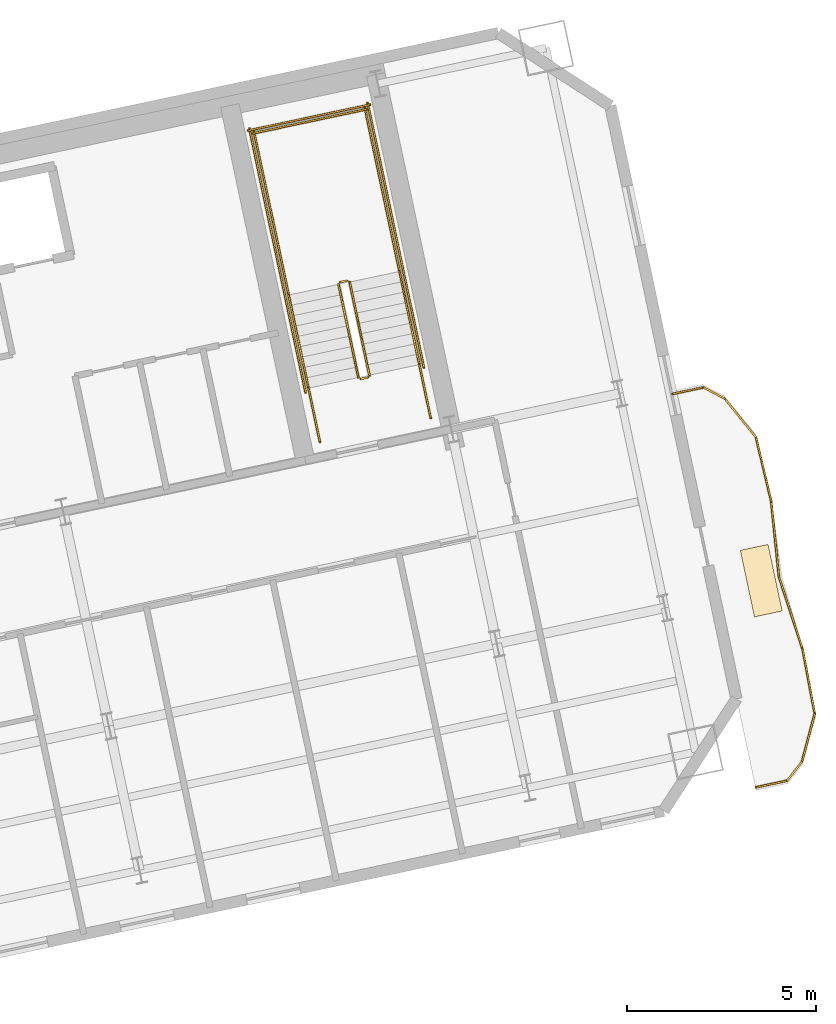
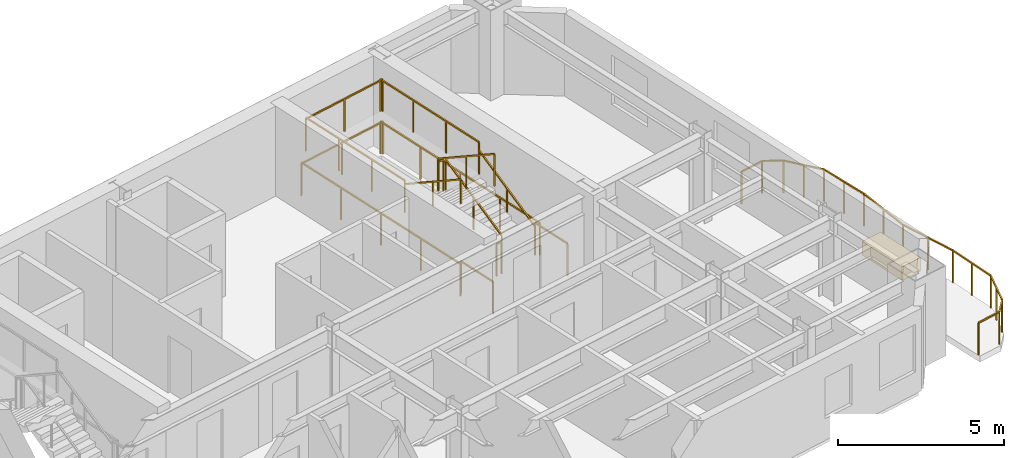
# One storey, part 13 of 13: 24 railings, 1 covering.
"""IFC4 building model written with IfcOpenShell, lengths in metres."""

from ifc_helpers import new_model, si_unit, direction, frame, origin, origin_2d, place, context, subcontext, project, spatial, rectangle, extrude, material, layer, layer_set, type_object, element, save


model = new_model("IFC4")

# Units and contexts
model_context = context("Model", 3, precision=1e-05, world=origin(), true_north=direction((0.0, 1.0)))
body_context = subcontext(model_context, "Body", "Model", "MODEL_VIEW")
ifc_project = project(units=[si_unit("LENGTHUNIT", "METRE"), si_unit("AREAUNIT", "SQUARE_METRE"), si_unit("VOLUMEUNIT", "CUBIC_METRE"), si_unit("PLANEANGLEUNIT", "RADIAN"), si_unit("MASSUNIT", "GRAM", prefix="KILO")], contexts=[model_context])

# Site, building, storey
site_placement = place(None, origin())
site = spatial("IfcSite", under=ifc_project, at=site_placement, CompositionType="ELEMENT")
building_placement = place(site_placement, origin())
building = spatial("IfcBuilding", under=site, at=building_placement, Name="Haevon Station Towers", CompositionType="ELEMENT")
storey_placement = place(building_placement, frame((0.0, 0.0, 149.39990234375)))
storey = spatial("IfcBuildingStorey", under=building, at=storey_placement, Name="L40", CompositionType="ELEMENT", Elevation=149.39990234375)

# Railings
ifc_material_1 = material(Name="Steel S355", Category="steel")
railing_type_1 = type_object("IfcRailingType", Name="GRD-EXT1200", PredefinedType="GUARDRAIL", material=ifc_material_1)
railing_1_placement = place(storey_placement, frame((127.363525390625, 32.332275390625, 0.0)))
element("IfcRailing", 1, at=railing_1_placement, inside=storey, type_object=railing_type_1, Name="L40 Perimeter Guardrail 1", PredefinedType="GUARDRAIL", context=body_context, shape_type="SweptSolid", body=[
    extrude(rectangle(XDim=0.048095703125, YDim=0.048095703125, at=origin_2d()), frame((0.0, 0.0, 1.17578125), z_axis=(0.977691431104, 0.210046341426, 0.0), x_axis=(-0.210046341426, 0.977691431104, 0.0)), (0.0, 0.0, 1.0), 0.838134765625),
    extrude(rectangle(XDim=0.0419921875, YDim=0.0419921875, at=origin_2d()), origin(), (0.0, 0.0, 1.0), 1.15185546875),
    extrude(rectangle(XDim=0.0419921875, YDim=0.0419921875, at=origin_2d()), frame((0.8193359375, 0.176025390625, 0.0)), (0.0, 0.0, 1.0), 1.15185546875),
])
railing_2_placement = place(storey_placement, frame((128.182861328125, 32.50830078125, 0.0)))
element("IfcRailing", 2, at=railing_2_placement, inside=storey, type_object=railing_type_1, Name="L40 Perimeter Guardrail 2", PredefinedType="GUARDRAIL", context=body_context, shape_type="SweptSolid", body=[
    extrude(rectangle(XDim=0.048095703125, YDim=0.048095703125, at=origin_2d()), frame((0.0, 0.0, 1.17578125), z_axis=(0.615866023328, 0.787850900431, 0.0), x_axis=(-0.787850900431, 0.615866023328, 0.0)), (0.0, 0.0, 1.0), 0.64013671875),
    extrude(rectangle(XDim=0.0419921875, YDim=0.0419921875, at=origin_2d()), origin(), (0.0, 0.0, 1.0), 1.15185546875),
    extrude(rectangle(XDim=0.0419921875, YDim=0.0419921875, at=origin_2d()), frame((0.394287109375, 0.50439453125, 0.0)), (0.0, 0.0, 1.0), 1.15185546875),
])
railing_3_placement = place(storey_placement, frame((128.5771484375, 33.0126953125, 0.0)))
element("IfcRailing", 3, at=railing_3_placement, inside=storey, type_object=railing_type_1, Name="L40 Perimeter Guardrail 3", PredefinedType="GUARDRAIL", context=body_context, shape_type="SweptSolid", body=[
    extrude(rectangle(XDim=0.048095703125, YDim=0.048095703125, at=origin_2d()), frame((0.0, 0.0, 1.17578125), z_axis=(0.256967200825, 0.966420124842, 0.0), x_axis=(-0.966420124842, 0.256967200825, 0.0)), (0.0, 0.0, 1.0), 1.31103515625),
    extrude(rectangle(XDim=0.0419921875, YDim=0.0419921875, at=origin_2d()), origin(), (0.0, 0.0, 1.0), 1.15185546875),
    extrude(rectangle(XDim=0.0419921875, YDim=0.0419921875, at=origin_2d()), frame((0.16845703125, 0.633544921875, 0.0)), (0.0, 0.0, 1.0), 1.15185546875),
    extrude(rectangle(XDim=0.0419921875, YDim=0.0419921875, at=origin_2d()), frame((0.3369140625, 1.26708984375, 0.0)), (0.0, 0.0, 1.0), 1.15185546875),
])
railing_4_placement = place(storey_placement, frame((128.9140625, 34.27978515625, 0.0)))
element("IfcRailing", 4, at=railing_4_placement, inside=storey, type_object=railing_type_1, Name="L40 Perimeter Guardrail 4", PredefinedType="GUARDRAIL", context=body_context, shape_type="SweptSolid", body=[
    extrude(rectangle(XDim=0.048095703125, YDim=0.048095703125, at=origin_2d()), frame((0.0, 0.0, 1.17578125), z_axis=(-0.184962759631, 0.982745530415, 0.0), x_axis=(-0.982745530415, -0.184962759631, 0.0)), (0.0, 0.0, 1.0), 1.7490234375),
    extrude(rectangle(XDim=0.0419921875, YDim=0.0419921875, at=origin_2d()), origin(), (0.0, 0.0, 1.0), 1.15185546875),
    extrude(rectangle(XDim=0.0419921875, YDim=0.0419921875, at=origin_2d()), frame((-0.16162109375, 0.859375, 0.0)), (0.0, 0.0, 1.0), 1.15185546875),
    extrude(rectangle(XDim=0.0419921875, YDim=0.0419921875, at=origin_2d()), frame((-0.323486328125, 1.71875, 0.0)), (0.0, 0.0, 1.0), 1.15185546875),
])
railing_5_placement = place(storey_placement, frame((128.590576171875, 35.99853515625, 0.0)))
element("IfcRailing", 5, at=railing_5_placement, inside=storey, type_object=railing_type_1, Name="L40 Perimeter Guardrail 5", PredefinedType="GUARDRAIL", context=body_context, shape_type="SweptSolid", body=[
    extrude(rectangle(XDim=0.048095703125, YDim=0.048095703125, at=origin_2d()), frame((0.0, 0.0, 1.17578125), z_axis=(-0.31161563474, 0.950208238328, 0.0), x_axis=(-0.950208238328, -0.31161563474, 0.0)), (0.0, 0.0, 1.0), 2.00244140625),
    extrude(rectangle(XDim=0.0419921875, YDim=0.0419921875, at=origin_2d()), origin(), (0.0, 0.0, 1.0), 1.15185546875),
    extrude(rectangle(XDim=0.0419921875, YDim=0.0419921875, at=origin_2d()), frame((-0.31201171875, 0.951416015625, 0.0)), (0.0, 0.0, 1.0), 1.15185546875),
    extrude(rectangle(XDim=0.0419921875, YDim=0.0419921875, at=origin_2d()), frame((-0.6240234375, 1.90283203125, 0.0)), (0.0, 0.0, 1.0), 1.15185546875),
])
railing_6_placement = place(storey_placement, frame((127.966552734375, 37.9013671875, 0.0)))
element("IfcRailing", 6, at=railing_6_placement, inside=storey, type_object=railing_type_1, Name="L40 Perimeter Guardrail 6", PredefinedType="GUARDRAIL", context=body_context, shape_type="SweptSolid", body=[
    extrude(rectangle(XDim=0.048095703125, YDim=0.048095703125, at=origin_2d()), frame((0.0, 0.0, 1.17578125), z_axis=(-0.101796856362, 0.994805207081, 0.0), x_axis=(-0.994805207081, -0.101796856362, 0.0)), (0.0, 0.0, 1.0), 2.002685546875),
    extrude(rectangle(XDim=0.0419921875, YDim=0.0419921875, at=origin_2d()), origin(), (0.0, 0.0, 1.0), 1.15185546875),
    extrude(rectangle(XDim=0.0419921875, YDim=0.0419921875, at=origin_2d()), frame((-0.10205078125, 0.99609375, 0.0)), (0.0, 0.0, 1.0), 1.15185546875),
    extrude(rectangle(XDim=0.0419921875, YDim=0.0419921875, at=origin_2d()), frame((-0.203857421875, 1.9921875, 0.0)), (0.0, 0.0, 1.0), 1.15185546875),
])
railing_7_placement = place(storey_placement, frame((127.7626953125, 39.8935546875, 0.0)))
element("IfcRailing", 7, at=railing_7_placement, inside=storey, type_object=railing_type_1, Name="L40 Perimeter Guardrail 7", PredefinedType="GUARDRAIL", context=body_context, shape_type="SweptSolid", body=[
    extrude(rectangle(XDim=0.048095703125, YDim=0.048095703125, at=origin_2d()), frame((0.0, 0.0, 1.17578125), z_axis=(-0.230727231711, 0.973018470815, 0.0), x_axis=(-0.973018470815, -0.230727231711, 0.0)), (0.0, 0.0, 1.0), 1.7490234375),
    extrude(rectangle(XDim=0.0419921875, YDim=0.0419921875, at=origin_2d()), origin(), (0.0, 0.0, 1.0), 1.15185546875),
    extrude(rectangle(XDim=0.0419921875, YDim=0.0419921875, at=origin_2d()), frame((-0.20166015625, 0.85107421875, 0.0)), (0.0, 0.0, 1.0), 1.15185546875),
    extrude(rectangle(XDim=0.0419921875, YDim=0.0419921875, at=origin_2d()), frame((-0.403564453125, 1.701904296875, 0.0)), (0.0, 0.0, 1.0), 1.15185546875),
])
railing_8_placement = place(storey_placement, frame((127.359130859375, 41.595458984375, 0.0)))
element("IfcRailing", 8, at=railing_8_placement, inside=storey, type_object=railing_type_1, Name="L40 Perimeter Guardrail 8", PredefinedType="GUARDRAIL", context=body_context, shape_type="SweptSolid", body=[
    extrude(rectangle(XDim=0.048095703125, YDim=0.048095703125, at=origin_2d()), frame((0.0, 0.0, 1.17578125), z_axis=(-0.62786890768, 0.778319108572, 0.0), x_axis=(-0.778319108572, -0.62786890768, 0.0)), (0.0, 0.0, 1.0), 1.311279296875),
    extrude(rectangle(XDim=0.0419921875, YDim=0.0419921875, at=origin_2d()), origin(), (0.0, 0.0, 1.0), 1.15185546875),
    extrude(rectangle(XDim=0.0419921875, YDim=0.0419921875, at=origin_2d()), frame((-0.41162109375, 0.51025390625, 0.0)), (0.0, 0.0, 1.0), 1.15185546875),
    extrude(rectangle(XDim=0.0419921875, YDim=0.0419921875, at=origin_2d()), frame((-0.8232421875, 1.0205078125, 0.0)), (0.0, 0.0, 1.0), 1.15185546875),
])
railing_9_placement = place(storey_placement, frame((126.535888671875, 42.615966796875, 0.0)))
element("IfcRailing", 9, at=railing_9_placement, inside=storey, type_object=railing_type_1, Name="L40 Perimeter Guardrail 9", PredefinedType="GUARDRAIL", context=body_context, shape_type="SweptSolid", body=[
    extrude(rectangle(XDim=0.048095703125, YDim=0.048095703125, at=origin_2d()), frame((0.0, 0.0, 1.17578125), z_axis=(-0.883174960407, 0.469043696589, 0.0), x_axis=(-0.469043696589, -0.883174960407, 0.0)), (0.0, 0.0, 1.0), 0.64013671875),
    extrude(rectangle(XDim=0.0419921875, YDim=0.0419921875, at=origin_2d()), origin(), (0.0, 0.0, 1.0), 1.15185546875),
    extrude(rectangle(XDim=0.0419921875, YDim=0.0419921875, at=origin_2d()), frame((-0.5654296875, 0.30029296875, 0.0)), (0.0, 0.0, 1.0), 1.15185546875),
])
railing_10_placement = place(storey_placement, frame((125.970458984375, 42.916259765625, 0.0)))
element("IfcRailing", 10, at=railing_10_placement, inside=storey, type_object=railing_type_1, Name="L40 Perimeter Guardrail 10", PredefinedType="GUARDRAIL", context=body_context, shape_type="SweptSolid", body=[
    extrude(rectangle(XDim=0.048095703125, YDim=0.048095703125, at=origin_2d()), frame((0.0, 0.0, 1.17578125), z_axis=(-0.978605406054, -0.205746103834, 0.0), x_axis=(0.205746103834, -0.978605406054, 0.0)), (0.0, 0.0, 1.0), 0.837646484375),
    extrude(rectangle(XDim=0.0419921875, YDim=0.0419921875, at=origin_2d()), origin(), (0.0, 0.0, 1.0), 1.15185546875),
    extrude(rectangle(XDim=0.0419921875, YDim=0.0419921875, at=origin_2d()), frame((-0.81982421875, -0.17236328125, 0.0)), (0.0, 0.0, 1.0), 1.15185546875),
])
railing_type_2 = type_object("IfcRailingType", Name="GRD-STR1200", PredefinedType="GUARDRAIL", material=ifc_material_1)
railing_11_placement = place(storey_placement, frame((117.128662109375, 43.23974609375, 0.1650390625)))
element("IfcRailing", 11, at=railing_11_placement, inside=storey, type_object=railing_type_2, Name="L40 ST4 Stair Guard 1", PredefinedType="GUARDRAIL", context=body_context, shape_type="SweptSolid", body=[
    extrude(rectangle(XDim=0.048095703125, YDim=0.048095703125, at=origin_2d()), frame((0.0, 0.0, 1.17578125), z_axis=(-0.179121265225, 0.842687928106, 0.507732831485), x_axis=(-0.978147030254, -0.207914374695, 0.0)), (0.0, 0.0, 1.0), 2.925048828125),
    extrude(rectangle(XDim=0.0419921875, YDim=0.0419921875, at=origin_2d()), origin(), (0.0, 0.0, 1.0), 1.15185546875),
    extrude(rectangle(XDim=0.0419921875, YDim=0.0419921875, at=origin_2d()), frame((-0.261962890625, 1.232421875, 0.74267578125)), (0.0, 0.0, 1.0), 1.15185546875),
    extrude(rectangle(XDim=0.0419921875, YDim=0.0419921875, at=origin_2d()), frame((-0.52392578125, 2.46484375, 1.485107421875)), (0.0, 0.0, 1.0), 1.15185546875),
])
railing_12_placement = place(storey_placement, frame((116.54541015625, 45.7431640625, 1.650146484375)))
element("IfcRailing", 12, at=railing_12_placement, inside=storey, type_object=railing_type_2, Name="L40 ST4 Stair Guard 2", PredefinedType="GUARDRAIL", context=body_context, shape_type="SweptSolid", body=[
    extrude(rectangle(XDim=0.048095703125, YDim=0.048095703125, at=origin_2d()), frame((0.0, 0.0, 1.17578125), z_axis=(-0.97826412705, -0.207362720198, 0.0), x_axis=(0.207362720198, -0.97826412705, 0.0)), (0.0, 0.0, 1.0), 0.2001953125),
    extrude(rectangle(XDim=0.0419921875, YDim=0.0419921875, at=origin_2d()), origin(), (0.0, 0.0, 1.0), 1.15185546875),
    extrude(rectangle(XDim=0.0419921875, YDim=0.0419921875, at=origin_2d()), frame((-0.19580078125, -0.04150390625, 0.0)), (0.0, 0.0, 1.0), 1.15185546875),
])
railing_13_placement = place(storey_placement, frame((117.925048828125, 45.9853515625, 1.650146484375)))
element("IfcRailing", 13, at=railing_13_placement, inside=storey, type_object=railing_type_2, Name="L40 ST4 Stair Guard 3", PredefinedType="GUARDRAIL", context=body_context, shape_type="SweptSolid", body=[
    extrude(rectangle(XDim=0.048095703125, YDim=0.048095703125, at=origin_2d()), frame((0.0, 0.0, 1.17578125), z_axis=(-0.207876551949, 0.978155069071, 0.0), x_axis=(-0.978155069071, -0.207876551949, 0.0)), (0.0, 0.0, 1.0), 4.429931640625),
    extrude(rectangle(XDim=0.0419921875, YDim=0.0419921875, at=origin_2d()), origin(), (0.0, 0.0, 1.0), 1.15185546875),
    extrude(rectangle(XDim=0.0419921875, YDim=0.0419921875, at=origin_2d()), frame((-0.306884765625, 1.4443359375, 0.0)), (0.0, 0.0, 1.0), 1.15185546875),
    extrude(rectangle(XDim=0.0419921875, YDim=0.0419921875, at=origin_2d()), frame((-0.614013671875, 2.888916015625, 0.0)), (0.0, 0.0, 1.0), 1.15185546875),
    extrude(rectangle(XDim=0.0419921875, YDim=0.0419921875, at=origin_2d()), frame((-0.9208984375, 4.333251953125, 0.0)), (0.0, 0.0, 1.0), 1.15185546875),
])
railing_14_placement = place(storey_placement, frame((114.99072265625, 45.361572265625, 1.650146484375)))
element("IfcRailing", 14, at=railing_14_placement, inside=storey, type_object=railing_type_2, Name="L40 ST4 Stair Guard 4", PredefinedType="GUARDRAIL", context=body_context, shape_type="SweptSolid", body=[
    extrude(rectangle(XDim=0.048095703125, YDim=0.048095703125, at=origin_2d()), frame((0.0, 0.0, 1.17578125), z_axis=(-0.207929280007, 0.978143861871, 0.0), x_axis=(-0.978143861871, -0.207929280007, 0.0)), (0.0, 0.0, 1.0), 4.43017578125),
    extrude(rectangle(XDim=0.0419921875, YDim=0.0419921875, at=origin_2d()), origin(), (0.0, 0.0, 1.0), 1.15185546875),
    extrude(rectangle(XDim=0.0419921875, YDim=0.0419921875, at=origin_2d()), frame((-0.30712890625, 1.4443359375, 0.0)), (0.0, 0.0, 1.0), 1.15185546875),
    extrude(rectangle(XDim=0.0419921875, YDim=0.0419921875, at=origin_2d()), frame((-0.614013671875, 2.888916015625, 0.0)), (0.0, 0.0, 1.0), 1.15185546875),
    extrude(rectangle(XDim=0.0419921875, YDim=0.0419921875, at=origin_2d()), frame((-0.921142578125, 4.333251953125, 0.0)), (0.0, 0.0, 1.0), 1.15185546875),
])
railing_15_placement = place(storey_placement, frame((117.0634765625, 50.280029296875, 1.650146484375)))
element("IfcRailing", 15, at=railing_15_placement, inside=storey, type_object=railing_type_2, Name="L40 ST4 Stair Guard 5", PredefinedType="GUARDRAIL", context=body_context, shape_type="SweptSolid", body=[
    extrude(rectangle(XDim=0.048095703125, YDim=0.048095703125, at=origin_2d()), frame((0.0, 0.0, 1.17578125), z_axis=(-0.978146839882, -0.207915270313, 0.0), x_axis=(0.207915270313, -0.978146839882, 0.0)), (0.0, 0.0, 1.0), 3.099853515625),
    extrude(rectangle(XDim=0.0419921875, YDim=0.0419921875, at=origin_2d()), origin(), (0.0, 0.0, 1.0), 1.15185546875),
    extrude(rectangle(XDim=0.0419921875, YDim=0.0419921875, at=origin_2d()), frame((-1.51611328125, -0.322265625, 0.0)), (0.0, 0.0, 1.0), 1.15185546875),
    extrude(rectangle(XDim=0.0419921875, YDim=0.0419921875, at=origin_2d()), frame((-3.0322265625, -0.64453125, 0.0)), (0.0, 0.0, 1.0), 1.15185546875),
])
railing_16_placement = place(storey_placement, frame((116.311279296875, 45.642333984375, 1.815185546875)))
element("IfcRailing", 16, at=railing_16_placement, inside=storey, type_object=railing_type_2, Name="L40 ST4 Stair Guard 6", PredefinedType="GUARDRAIL", context=body_context, shape_type="SweptSolid", body=[
    extrude(rectangle(XDim=0.048095703125, YDim=0.048095703125, at=origin_2d()), frame((0.0, 0.0, 1.17578125), z_axis=(0.179116256339, -0.842747828638, 0.507635168246), x_axis=(0.978151217824, 0.207894673017, 0.0)), (0.0, 0.0, 1.0), 2.925048828125),
    extrude(rectangle(XDim=0.0419921875, YDim=0.0419921875, at=origin_2d()), origin(), (0.0, 0.0, 1.0), 1.15185546875),
    extrude(rectangle(XDim=0.0419921875, YDim=0.0419921875, at=origin_2d()), frame((0.261962890625, -1.232421875, 0.742431640625)), (0.0, 0.0, 1.0), 1.15185546875),
    extrude(rectangle(XDim=0.0419921875, YDim=0.0419921875, at=origin_2d()), frame((0.52392578125, -2.465087890625, 1.48486328125)), (0.0, 0.0, 1.0), 1.15185546875),
])
railing_17_placement = place(storey_placement, frame((117.090087890625, 43.180419921875, 0.0)))
element("IfcRailing", 17, at=railing_17_placement, inside=storey, type_object=railing_type_2, Name="L40 ST4 Stair Guard 7", PredefinedType="GUARDRAIL", context=body_context, shape_type="SweptSolid", body=[
    extrude(rectangle(XDim=0.048095703125, YDim=0.048095703125, at=origin_2d()), frame((0.0, 0.0, 1.17578125), z_axis=(-0.978211583308, -0.207610448392, 0.0), x_axis=(0.207610448392, -0.978211583308, 0.0)), (0.0, 0.0, 1.0), 0.199951171875),
    extrude(rectangle(XDim=0.0419921875, YDim=0.0419921875, at=origin_2d()), origin(), (0.0, 0.0, 1.0), 1.15185546875),
    extrude(rectangle(XDim=0.0419921875, YDim=0.0419921875, at=origin_2d()), frame((-0.195556640625, -0.04150390625, 0.0)), (0.0, 0.0, 1.0), 1.15185546875),
])
for number, where, name in (
    (18, (118.75048828125, 42.10205078125, 0.0), "L40 ST4 Stair Guard 8"),
    (19, (115.816162109375, 41.478271484375, 0.0), "L40 ST4 Stair Guard 9"),
):
    element("IfcRailing", number, at=place(storey_placement, frame(where)), inside=storey, type_object=railing_type_2, Name=name, PredefinedType="GUARDRAIL", context=body_context, shape_type="SweptSolid", body=[
        extrude(rectangle(XDim=0.048095703125, YDim=0.048095703125, at=origin_2d()), frame((0.0, 0.0, 1.17578125), z_axis=(-0.207919161079, 0.978146012851, 0.0), x_axis=(-0.978146012851, -0.207919161079, 0.0)), (0.0, 0.0, 1.0), 1.4501953125),
        extrude(rectangle(XDim=0.0419921875, YDim=0.0419921875, at=origin_2d()), origin(), (0.0, 0.0, 1.0), 1.15185546875),
        extrude(rectangle(XDim=0.0419921875, YDim=0.0419921875, at=origin_2d()), frame((-0.301513671875, 1.41845703125, 0.0)), (0.0, 0.0, 1.0), 1.15185546875),
    ])
railing_18_placement = place(storey_placement, frame((118.567626953125, 43.443359375, 0.0)))
element("IfcRailing", 20, at=railing_18_placement, inside=storey, type_object=railing_type_2, Name="L40 ST4 Stair Guard 10", PredefinedType="GUARDRAIL", context=body_context, shape_type="SweptSolid", body=[
    extrude(rectangle(XDim=0.048095703125, YDim=0.048095703125, at=origin_2d()), frame((0.0, 0.0, 1.17578125), z_axis=(-0.207908168386, 0.978148349443, 0.0), x_axis=(-0.978148349443, -0.207908168386, 0.0)), (0.0, 0.0, 1.0), 7.150146484375),
    extrude(rectangle(XDim=0.0419921875, YDim=0.0419921875, at=origin_2d()), origin(), (0.0, 0.0, 1.0), 1.15185546875),
    extrude(rectangle(XDim=0.0419921875, YDim=0.0419921875, at=origin_2d()), frame((-0.37158203125, 1.74853515625, 0.0)), (0.0, 0.0, 1.0), 1.15185546875),
    extrude(rectangle(XDim=0.0419921875, YDim=0.0419921875, at=origin_2d()), frame((-0.7431640625, 3.4970703125, 0.0)), (0.0, 0.0, 1.0), 1.15185546875),
    extrude(rectangle(XDim=0.0419921875, YDim=0.0419921875, at=origin_2d()), frame((-1.114990234375, 5.245361328125, 0.0)), (0.0, 0.0, 1.0), 1.15185546875),
    extrude(rectangle(XDim=0.0419921875, YDim=0.0419921875, at=origin_2d()), frame((-1.486572265625, 6.993896484375, 0.0)), (0.0, 0.0, 1.0), 1.15185546875),
])
railing_19_placement = place(storey_placement, frame((115.4375, 42.778076171875, 0.0)))
element("IfcRailing", 21, at=railing_19_placement, inside=storey, type_object=railing_type_2, Name="L40 ST4 Stair Guard 11", PredefinedType="GUARDRAIL", context=body_context, shape_type="SweptSolid", body=[
    extrude(rectangle(XDim=0.048095703125, YDim=0.048095703125, at=origin_2d()), frame((0.0, 0.0, 1.17578125), z_axis=(-0.207882442208, 0.978153817261, 0.0), x_axis=(-0.978153817261, -0.207882442208, 0.0)), (0.0, 0.0, 1.0), 7.14990234375),
    extrude(rectangle(XDim=0.0419921875, YDim=0.0419921875, at=origin_2d()), origin(), (0.0, 0.0, 1.0), 1.15185546875),
    extrude(rectangle(XDim=0.0419921875, YDim=0.0419921875, at=origin_2d()), frame((-0.37158203125, 1.74853515625, 0.0)), (0.0, 0.0, 1.0), 1.15185546875),
    extrude(rectangle(XDim=0.0419921875, YDim=0.0419921875, at=origin_2d()), frame((-0.7431640625, 3.496826171875, 0.0)), (0.0, 0.0, 1.0), 1.15185546875),
    extrude(rectangle(XDim=0.0419921875, YDim=0.0419921875, at=origin_2d()), frame((-1.11474609375, 5.2451171875, 0.0)), (0.0, 0.0, 1.0), 1.15185546875),
    extrude(rectangle(XDim=0.0419921875, YDim=0.0419921875, at=origin_2d()), frame((-1.486328125, 6.99365234375, 0.0)), (0.0, 0.0, 1.0), 1.15185546875),
])
railing_20_placement = place(storey_placement, frame((117.140380859375, 50.398681640625, 0.0)))
element("IfcRailing", 22, at=railing_20_placement, inside=storey, type_object=railing_type_2, Name="L40 ST4 Stair Guard 12", PredefinedType="GUARDRAIL", context=body_context, shape_type="SweptSolid", body=[
    extrude(rectangle(XDim=0.048095703125, YDim=0.048095703125, at=origin_2d()), frame((0.0, 0.0, 1.17578125), z_axis=(-0.978135717418, -0.207967589567, 0.0), x_axis=(0.207967589567, -0.978135717418, 0.0)), (0.0, 0.0, 1.0), 3.300048828125),
    extrude(rectangle(XDim=0.0419921875, YDim=0.0419921875, at=origin_2d()), origin(), (0.0, 0.0, 1.0), 1.15185546875),
    extrude(rectangle(XDim=0.0419921875, YDim=0.0419921875, at=origin_2d()), frame((-1.61376953125, -0.34326171875, 0.0)), (0.0, 0.0, 1.0), 1.15185546875),
    extrude(rectangle(XDim=0.0419921875, YDim=0.0419921875, at=origin_2d()), frame((-3.227783203125, -0.686279296875, 0.0)), (0.0, 0.0, 1.0), 1.15185546875),
])
railing_type_3 = type_object("IfcRailingType", Name="HND-STR900", PredefinedType="HANDRAIL", material=ifc_material_1)
railing_21_placement = place(storey_placement, frame((118.448974609375, 43.5205078125, 0.1650390625)))
element("IfcRailing", 23, at=railing_21_placement, inside=storey, type_object=railing_type_3, Name="L40 ST4 Stair Handrail 1", PredefinedType="HANDRAIL", context=body_context, shape_type="SweptSolid", body=[
    extrude(rectangle(XDim=0.048095703125, YDim=0.048095703125, at=origin_2d()), frame((0.0, 0.0, 0.8759765625), z_axis=(-0.179121265225, 0.842687928106, 0.507732831485), x_axis=(-0.978147030254, -0.207914374695, 0.0)), (0.0, 0.0, 1.0), 2.925048828125),
    extrude(rectangle(XDim=0.0419921875, YDim=0.0419921875, at=origin_2d()), origin(), (0.0, 0.0, 1.0), 0.851806640625),
    extrude(rectangle(XDim=0.0419921875, YDim=0.0419921875, at=origin_2d()), frame((-0.261962890625, 1.232421875, 0.74267578125)), (0.0, 0.0, 1.0), 0.851806640625),
    extrude(rectangle(XDim=0.0419921875, YDim=0.0419921875, at=origin_2d()), frame((-0.52392578125, 2.46484375, 1.485107421875)), (0.0, 0.0, 1.0), 0.851806640625),
])
railing_22_placement = place(storey_placement, frame((114.99072265625, 45.361572265625, 1.815185546875)))
element("IfcRailing", 24, at=railing_22_placement, inside=storey, type_object=railing_type_3, Name="L40 ST4 Stair Handrail 2", PredefinedType="HANDRAIL", context=body_context, shape_type="SweptSolid", body=[
    extrude(rectangle(XDim=0.048095703125, YDim=0.048095703125, at=origin_2d()), frame((0.0, 0.0, 0.8759765625), z_axis=(0.179128856099, -0.842723639875, 0.507670877349), x_axis=(0.978147030254, 0.207914374695, 0.0)), (0.0, 0.0, 1.0), 2.9248046875),
    extrude(rectangle(XDim=0.0419921875, YDim=0.0419921875, at=origin_2d()), origin(), (0.0, 0.0, 1.0), 0.851806640625),
    extrude(rectangle(XDim=0.0419921875, YDim=0.0419921875, at=origin_2d()), frame((0.261962890625, -1.232421875, 0.742431640625)), (0.0, 0.0, 1.0), 0.851806640625),
    extrude(rectangle(XDim=0.0419921875, YDim=0.0419921875, at=origin_2d()), frame((0.52392578125, -2.46484375, 1.48486328125)), (0.0, 0.0, 1.0), 0.851806640625),
])

# Covering
ifc_material_2 = material(Name="Architectural planter GRC", Category="concrete")
ifc_layer = layer(ifc_material_2, 0.550048828125)
ifc_layer_set = layer_set([ifc_layer], Name="Architectural planter GRC")
covering_type = type_object("IfcCoveringType", Name="PLN-GRC550", PredefinedType="MOLDING", material=ifc_layer_set)
covering_placement = place(storey_placement, frame((127.49853515625, 37.802001953125, 0.0), z_axis=(0.0, 0.0, 1.0), x_axis=(0.978147600734, 0.207911690818, 0.0)))
element("IfcCovering", 25, at=covering_placement, inside=storey, type_object=covering_type, Name="Tower 2 L40 Scalloped Balcony PLANTER", PredefinedType="MOLDING", context=body_context, shape_type="SweptSolid", body=[
    extrude(rectangle(XDim=0.75, YDim=1.800048828125, at=origin_2d()), origin(), (0.0, 0.0, 1.0), 0.5),
])

save(model, "model.ifc")
